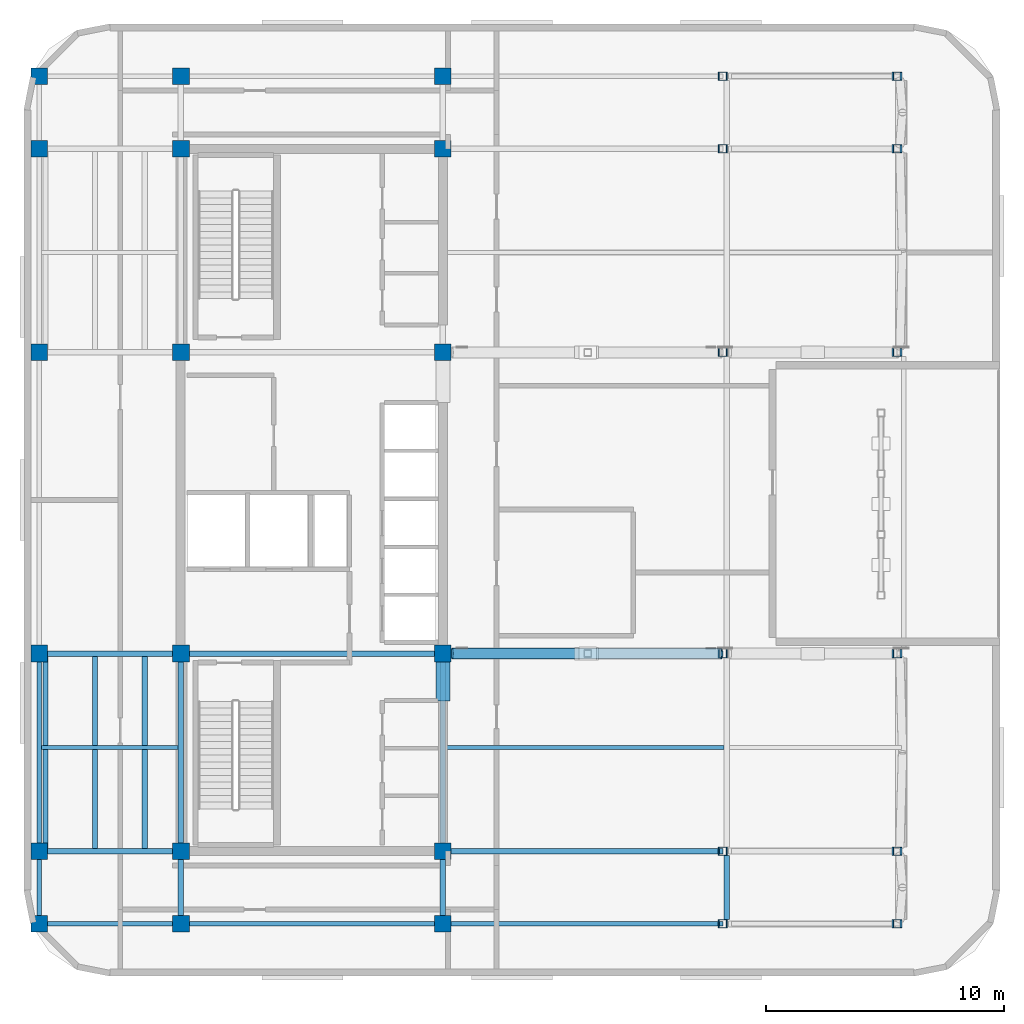
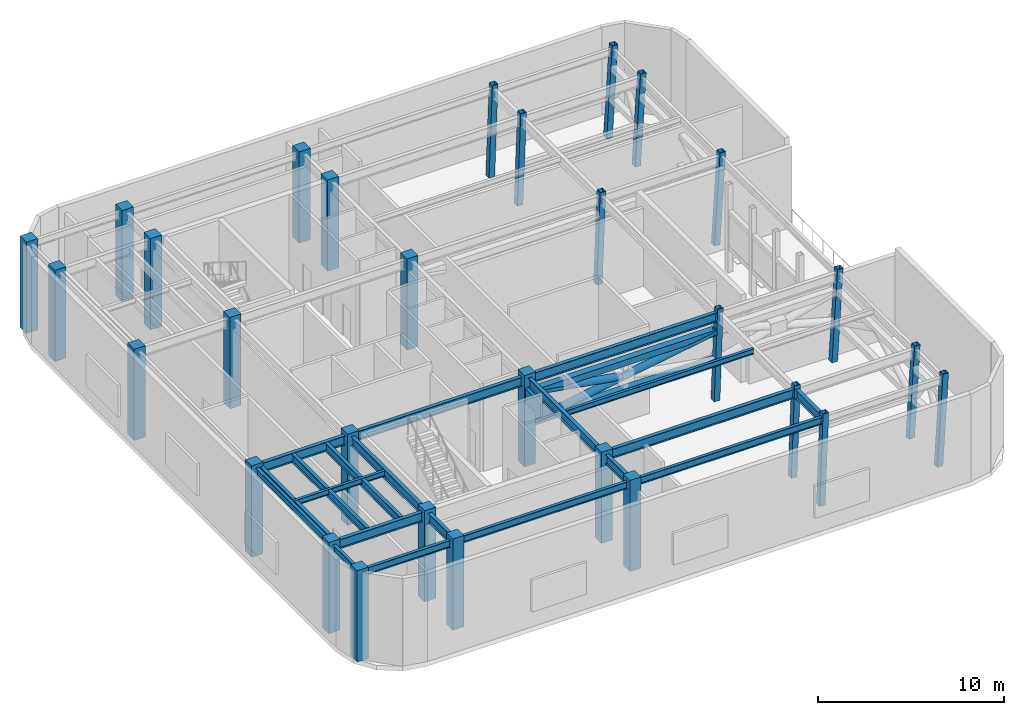
# One storey, part 1 of 12: 30 columns, 21 beams, 4 members.
"""IFC4 building model written with IfcOpenShell, lengths in metres."""

from ifc_helpers import new_model, si_unit, direction, frame, origin, origin_2d, place, context, subcontext, project, spatial, rectangle, hollow_rectangle, hollow_circle, i_section, extrude, material, material_profile, profile_set, type_object, element, save


model = new_model("IFC4")

# Units and contexts
model_context = context("Model", 3, precision=1e-05, world=origin(), true_north=direction((0.0, 1.0)))
body_context = subcontext(model_context, "Body", "Model", "MODEL_VIEW")
ifc_project = project(units=[si_unit("LENGTHUNIT", "METRE"), si_unit("AREAUNIT", "SQUARE_METRE"), si_unit("VOLUMEUNIT", "CUBIC_METRE"), si_unit("PLANEANGLEUNIT", "RADIAN"), si_unit("MASSUNIT", "GRAM", prefix="KILO")], contexts=[model_context])

# Site, building, storey
site_placement = place(None, origin())
site = spatial("IfcSite", under=ifc_project, at=site_placement, CompositionType="ELEMENT")
building_placement = place(site_placement, origin())
building = spatial("IfcBuilding", under=site, at=building_placement, Name="Ochreholt Gables", CompositionType="ELEMENT")
storey_placement = place(building_placement, frame((0.0, 0.0, 199.800048828125)))
storey = spatial("IfcBuildingStorey", under=building, at=storey_placement, Name="L52", CompositionType="ELEMENT", Elevation=199.800048828125)

# Columns
ifc_material_1 = material(Name="Steel CSA G40.21 350W", Category="steel")
ifc_material_profile_1 = material_profile(ifc_material_1, hollow_rectangle(XDim=0.35595703125, YDim=0.35595703125, WallThickness=0.01611328125, at=origin_2d()), Name="HSS356X356X16")
ifc_profile_set_1 = profile_set([ifc_material_profile_1], Name="Steel CSA G40.21 350W")
column_type_1 = type_object("IfcColumnType", Name="COL-HSS356-RAK", PredefinedType="COLUMN", material=ifc_profile_set_1)
for number, where, z_axis, x_axis, name in (
    (1, (46.928955078125, 9.25, 0.0), (0.034972083701, 0.0, 0.999388289586), (0.0, 1.0, 0.0), "L52 Column EMY2"),
    (2, (46.928955078125, 17.550048828125, 0.0), (0.034972083701, 0.0, 0.999388289586), (0.0, 1.0, 0.0), "L52 Column EMY3"),
    (3, (46.928955078125, 30.199951171875, 0.0), (0.034972083701, 0.0, 0.999388289586), (0.0, 1.0, 0.0), "L52 Column EMY4"),
    (4, (46.928955078125, 38.75, 0.0), (0.034972083701, 0.0, 0.999388289586), (0.0, 1.0, 0.0), "L52 Column EMY5"),
):
    element("IfcColumn", number, at=place(storey_placement, frame(where, z_axis=z_axis, x_axis=x_axis)), inside=storey, type_object=column_type_1, Name=name, PredefinedType="COLUMN", context=body_context, shape_type="SweptSolid", body=[
        extrude(hollow_rectangle(XDim=0.35595703125, YDim=0.35595703125, WallThickness=0.01611328125, at=origin_2d()), origin(), (0.0, 0.0, 1.0), 6.003662109375),
    ])
ifc_material_profile_2 = material_profile(ifc_material_1, hollow_rectangle(XDim=0.35595703125, YDim=0.35595703125, WallThickness=0.01611328125, at=origin_2d()), Name="HSS356X356X16")
ifc_profile_set_2 = profile_set([ifc_material_profile_2], Name="Steel CSA G40.21 350W")
column_type_2 = type_object("IfcColumnType", Name="COL-HSS356-RAKE", PredefinedType="COLUMN", material=ifc_profile_set_2)
for number, where, z_axis, x_axis, name in (
    (5, (46.928955078125, 6.199951171875, 0.0), (0.034972083701, 0.0, 0.999388289586), (0.0, 1.0, 0.0), "L52 Column EMY1"),
    (6, (46.928955078125, 41.800048828125, 0.0), (0.034972083701, 0.0, 0.999388289586), (0.0, 1.0, 0.0), "L52 Column EMY6"),
):
    element("IfcColumn", number, at=place(storey_placement, frame(where, z_axis=z_axis, x_axis=x_axis)), inside=storey, type_object=column_type_2, Name=name, PredefinedType="COLUMN", context=body_context, shape_type="SweptSolid", body=[
        extrude(hollow_rectangle(XDim=0.35595703125, YDim=0.35595703125, WallThickness=0.01611328125, at=origin_2d()), origin(), (0.0, 0.0, 1.0), 6.003662109375),
    ])
for number, where, z_axis, x_axis, name in (
    (7, (54.2451171875, 6.199951171875, 0.0), (0.057926656896, 0.0, 0.998320841424), (0.0, 1.0, 0.0), "L52 Column EEY1"),
    (8, (54.2451171875, 9.25, 0.0), (0.057926656896, 0.0, 0.998320841424), (0.0, 1.0, 0.0), "L52 Column EEY2"),
    (9, (54.2451171875, 17.550048828125, 0.0), (0.057926656896, 0.0, 0.998320841424), (0.0, 1.0, 0.0), "L52 Column EEY3"),
    (10, (54.2451171875, 30.199951171875, 0.0), (0.057926656896, 0.0, 0.998320841424), (0.0, 1.0, 0.0), "L52 Column EEY4"),
    (11, (54.2451171875, 38.75, 0.0), (0.057926656896, 0.0, 0.998320841424), (0.0, 1.0, 0.0), "L52 Column EEY5"),
    (12, (54.2451171875, 41.800048828125, 0.0), (0.057926656896, 0.0, 0.998320841424), (0.0, 1.0, 0.0), "L52 Column EEY6"),
):
    element("IfcColumn", number, at=place(storey_placement, frame(where, z_axis=z_axis, x_axis=x_axis)), inside=storey, type_object=column_type_2, Name=name, PredefinedType="COLUMN", context=body_context, shape_type="SweptSolid", body=[
        extrude(hollow_rectangle(XDim=0.35595703125, YDim=0.35595703125, WallThickness=0.01611328125, at=origin_2d()), origin(), (0.0, 0.0, 1.0), 6.010009765625),
    ])
ifc_material_2 = material(Name="Concrete 50 MPa", Category="concrete")
ifc_material_profile_3 = material_profile(ifc_material_2, rectangle(XDim=0.699951171875, YDim=0.699951171875, at=origin_2d()), Name="RC700X700")
ifc_profile_set_3 = profile_set([ifc_material_profile_3], Name="Concrete 50 MPa")
column_type_3 = type_object("IfcColumnType", Name="COL-RC700-EXT", PredefinedType="COLUMN", material=ifc_profile_set_3)
for number, where, z_axis, x_axis, name in (
    (13, (18.25, 6.199951171875, 0.0), (0.0, 0.0, 1.0), (1.0, 0.0, 0.0), "L52 Column W3Y1"),
    (14, (18.25, 9.25, 0.0), (0.0, 0.0, 1.0), (1.0, 0.0, 0.0), "L52 Column W3Y2"),
    (15, (18.25, 17.550048828125, 0.0), (0.0, 0.0, 1.0), (1.0, 0.0, 0.0), "L52 Column W3Y3"),
    (16, (18.25, 30.199951171875, 0.0), (0.0, 0.0, 1.0), (1.0, 0.0, 0.0), "L52 Column W3Y4"),
    (17, (18.25, 38.75, 0.0), (0.0, 0.0, 1.0), (1.0, 0.0, 0.0), "L52 Column W3Y5"),
    (18, (18.25, 41.800048828125, 0.0), (0.0, 0.0, 1.0), (1.0, 0.0, 0.0), "L52 Column W3Y6"),
    (19, (24.199951171875, 6.199951171875, 0.0), (0.0, 0.0, 1.0), (1.0, 0.0, 0.0), "L52 Column C1Y1"),
    (20, (24.199951171875, 41.800048828125, 0.0), (0.0, 0.0, 1.0), (1.0, 0.0, 0.0), "L52 Column C1Y6"),
    (21, (35.199951171875, 6.199951171875, 0.0), (0.0, 0.0, 1.0), (1.0, 0.0, 0.0), "L52 Column C2Y1"),
    (22, (35.199951171875, 41.800048828125, 0.0), (0.0, 0.0, 1.0), (1.0, 0.0, 0.0), "L52 Column C2Y6"),
):
    element("IfcColumn", number, at=place(storey_placement, frame(where, z_axis=z_axis, x_axis=x_axis)), inside=storey, type_object=column_type_3, Name=name, PredefinedType="COLUMN", context=body_context, shape_type="SweptSolid", body=[
        extrude(rectangle(XDim=0.699951171875, YDim=0.699951171875, at=origin_2d()), origin(), (0.0, 0.0, 1.0), 6.0),
    ])
ifc_material_profile_4 = material_profile(ifc_material_2, rectangle(XDim=0.699951171875, YDim=0.699951171875, at=origin_2d()), Name="RC700X700")
ifc_profile_set_4 = profile_set([ifc_material_profile_4], Name="Concrete 50 MPa")
column_type_4 = type_object("IfcColumnType", Name="COL-RC700-INT", PredefinedType="COLUMN", material=ifc_profile_set_4)
for number, where, z_axis, x_axis, name in (
    (23, (24.199951171875, 9.25, 0.0), (0.0, 0.0, 1.0), (1.0, 0.0, 0.0), "L52 Column C1Y2"),
    (24, (24.199951171875, 17.550048828125, 0.0), (0.0, 0.0, 1.0), (1.0, 0.0, 0.0), "L52 Column C1Y3"),
    (25, (24.199951171875, 30.199951171875, 0.0), (0.0, 0.0, 1.0), (1.0, 0.0, 0.0), "L52 Column C1Y4"),
    (26, (24.199951171875, 38.75, 0.0), (0.0, 0.0, 1.0), (1.0, 0.0, 0.0), "L52 Column C1Y5"),
    (27, (35.199951171875, 9.25, 0.0), (0.0, 0.0, 1.0), (1.0, 0.0, 0.0), "L52 Column C2Y2"),
    (28, (35.199951171875, 17.550048828125, 0.0), (0.0, 0.0, 1.0), (1.0, 0.0, 0.0), "L52 Column C2Y3"),
    (29, (35.199951171875, 30.199951171875, 0.0), (0.0, 0.0, 1.0), (1.0, 0.0, 0.0), "L52 Column C2Y4"),
    (30, (35.199951171875, 38.75, 0.0), (0.0, 0.0, 1.0), (1.0, 0.0, 0.0), "L52 Column C2Y5"),
):
    element("IfcColumn", number, at=place(storey_placement, frame(where, z_axis=z_axis, x_axis=x_axis)), inside=storey, type_object=column_type_4, Name=name, PredefinedType="COLUMN", context=body_context, shape_type="SweptSolid", body=[
        extrude(rectangle(XDim=0.699951171875, YDim=0.699951171875, at=origin_2d()), origin(), (0.0, 0.0, 1.0), 6.0),
    ])

# Beams
ifc_material_3 = material(Name="Concrete 60 MPa", Category="concrete")
ifc_material_profile_5 = material_profile(ifc_material_3, rectangle(XDim=0.60009765625, YDim=0.949951171875, at=origin_2d()), Name="RCB600X950")
ifc_profile_set_5 = profile_set([ifc_material_profile_5], Name="Concrete 60 MPa")
beam_type_1 = type_object("IfcBeamType", Name="BM-CPL-RC600", PredefinedType="LINTEL", material=ifc_profile_set_5)
beam_1_placement = place(storey_placement, frame((35.2099609375, 15.550048828125, 4.6728515625), z_axis=(0.0, 1.0, 0.0), x_axis=(-1.0, 0.0, 0.0)))
element("IfcBeam", 31, at=beam_1_placement, inside=storey, type_object=beam_type_1, Name="L52 Core Coupling Lintel CPS", PredefinedType="LINTEL", context=body_context, shape_type="SweptSolid", body=[
    extrude(rectangle(XDim=0.60009765625, YDim=0.949951171875, at=origin_2d()), origin(), (0.0, 0.0, 1.0), 1.64990234375),
])
ifc_material_profile_6 = material_profile(ifc_material_1, i_section(OverallWidth=0.2109375, OverallDepth=0.5390625, WebThickness=0.01171875, FlangeThickness=0.018798828125, at=origin_2d()), Name="W530X109")
ifc_profile_set_6 = profile_set([ifc_material_profile_6], Name="Steel CSA G40.21 350W")
beam_type_2 = type_object("IfcBeamType", Name="BM-G-W530A", PredefinedType="BEAM", material=ifc_profile_set_6)
for number, where, z_axis, x_axis, name in (
    (32, (18.52001953125, 9.364013671875, 5.490478515625), (0.0, 1.0, 0.0), (-1.0, 0.0, 0.0), "L52 Beam BTG-L52-53W1W"),
    (33, (20.60009765625, 9.364013671875, 5.490478515625), (0.0, 1.0, 0.0), (-1.0, 0.0, 0.0), "L52 Beam BTG-L52-53W1R"),
    (34, (22.679931640625, 9.364013671875, 5.490478515625), (0.0, 1.0, 0.0), (-1.0, 0.0, 0.0), "L52 Beam BTG-L52-53W1E"),
):
    element("IfcBeam", number, at=place(storey_placement, frame(where, z_axis=z_axis, x_axis=x_axis)), inside=storey, type_object=beam_type_2, Name=name, PredefinedType="BEAM", context=body_context, shape_type="SweptSolid", body=[
        extrude(i_section(OverallWidth=0.2109375, OverallDepth=0.5390625, WebThickness=0.01171875, FlangeThickness=0.018798828125, at=origin_2d()), origin(), (0.0, 0.0, 1.0), 8.07177734375),
    ])
ifc_material_profile_7 = material_profile(ifc_material_1, i_section(OverallWidth=0.22900390625, OverallDepth=0.612060546875, WebThickness=0.011962890625, FlangeThickness=0.01953125, at=origin_2d()), Name="W610X125")
ifc_profile_set_7 = profile_set([ifc_material_profile_7], Name="Steel CSA G40.21 350W")
beam_type_3 = type_object("IfcBeamType", Name="BM-G-W610B", PredefinedType="BEAM", material=ifc_profile_set_7)
beam_2_placement = place(storey_placement, frame((18.599609375, 9.25, 5.453857421875), z_axis=(1.0, 0.0, 0.0), x_axis=(0.0, 1.0, 0.0)))
element("IfcBeam", 35, at=beam_2_placement, inside=storey, type_object=beam_type_3, Name="L52 Beam TBG-L52-W3C1-Y2", PredefinedType="BEAM", context=body_context, shape_type="SweptSolid", body=[
    extrude(i_section(OverallWidth=0.22900390625, OverallDepth=0.612060546875, WebThickness=0.011962890625, FlangeThickness=0.01953125, at=origin_2d()), origin(), (0.0, 0.0, 1.0), 5.250732421875),
])
beam_3_placement = place(storey_placement, frame((35.549560546875, 9.25, 5.453857421875), z_axis=(1.0, 0.0, 0.0), x_axis=(0.0, 1.0, 0.0)))
element("IfcBeam", 36, at=beam_3_placement, inside=storey, type_object=beam_type_3, Name="L52 Beam TBG-L52-C2EM-Y2", PredefinedType="BEAM", context=body_context, shape_type="SweptSolid", body=[
    extrude(i_section(OverallWidth=0.22900390625, OverallDepth=0.612060546875, WebThickness=0.011962890625, FlangeThickness=0.01953125, at=origin_2d()), origin(), (0.0, 0.0, 1.0), 11.411865234375),
])
beam_4_placement = place(storey_placement, frame((18.599609375, 17.550048828125, 5.453857421875), z_axis=(1.0, 0.0, 0.0), x_axis=(0.0, 1.0, 0.0)))
element("IfcBeam", 37, at=beam_4_placement, inside=storey, type_object=beam_type_3, Name="L52 Beam TBG-L52-W3C1-Y3", PredefinedType="BEAM", context=body_context, shape_type="SweptSolid", body=[
    extrude(i_section(OverallWidth=0.22900390625, OverallDepth=0.612060546875, WebThickness=0.011962890625, FlangeThickness=0.01953125, at=origin_2d()), origin(), (0.0, 0.0, 1.0), 5.250732421875),
])
beam_5_placement = place(storey_placement, frame((24.549560546875, 17.550048828125, 5.453857421875), z_axis=(1.0, 0.0, 0.0), x_axis=(0.0, 1.0, 0.0)))
element("IfcBeam", 38, at=beam_5_placement, inside=storey, type_object=beam_type_3, Name="L52 Beam TBG-L52-C1C2-Y3", PredefinedType="BEAM", context=body_context, shape_type="SweptSolid", body=[
    extrude(i_section(OverallWidth=0.22900390625, OverallDepth=0.612060546875, WebThickness=0.011962890625, FlangeThickness=0.01953125, at=origin_2d()), origin(), (0.0, 0.0, 1.0), 10.30078125),
])
beam_6_placement = place(storey_placement, frame((35.549560546875, 17.550048828125, 5.453857421875), z_axis=(1.0, 0.0, 0.0), x_axis=(0.0, 1.0, 0.0)))
element("IfcBeam", 39, at=beam_6_placement, inside=storey, type_object=beam_type_3, Name="L52 Beam TBG-L52-C2EM-Y3", PredefinedType="BEAM", context=body_context, shape_type="SweptSolid", body=[
    extrude(i_section(OverallWidth=0.22900390625, OverallDepth=0.612060546875, WebThickness=0.011962890625, FlangeThickness=0.01953125, at=origin_2d()), origin(), (0.0, 0.0, 1.0), 11.411865234375),
])
beam_7_placement = place(storey_placement, frame((24.199951171875, 6.549560546875, 5.453857421875), z_axis=(0.0, 1.0, 0.0), x_axis=(-1.0, 0.0, 0.0)))
element("IfcBeam", 40, at=beam_7_placement, inside=storey, type_object=beam_type_3, Name="L52 Beam TBN-L52-C1-Y1Y2", PredefinedType="BEAM", context=body_context, shape_type="SweptSolid", body=[
    extrude(i_section(OverallWidth=0.22900390625, OverallDepth=0.612060546875, WebThickness=0.011962890625, FlangeThickness=0.01953125, at=origin_2d()), origin(), (0.0, 0.0, 1.0), 2.350830078125),
])
beam_8_placement = place(storey_placement, frame((24.199951171875, 9.599609375, 5.453857421875), z_axis=(0.0, 1.0, 0.0), x_axis=(-1.0, 0.0, 0.0)))
element("IfcBeam", 41, at=beam_8_placement, inside=storey, type_object=beam_type_3, Name="L52 Beam TBN-L52-C1-Y2Y3", PredefinedType="BEAM", context=body_context, shape_type="SweptSolid", body=[
    extrude(i_section(OverallWidth=0.22900390625, OverallDepth=0.612060546875, WebThickness=0.011962890625, FlangeThickness=0.01953125, at=origin_2d()), origin(), (0.0, 0.0, 1.0), 7.600830078125),
])
beam_9_placement = place(storey_placement, frame((35.199951171875, 6.549560546875, 5.453857421875), z_axis=(0.0, 1.0, 0.0), x_axis=(-1.0, 0.0, 0.0)))
element("IfcBeam", 42, at=beam_9_placement, inside=storey, type_object=beam_type_3, Name="L52 Beam TBN-L52-C2-Y1Y2", PredefinedType="BEAM", context=body_context, shape_type="SweptSolid", body=[
    extrude(i_section(OverallWidth=0.22900390625, OverallDepth=0.612060546875, WebThickness=0.011962890625, FlangeThickness=0.01953125, at=origin_2d()), origin(), (0.0, 0.0, 1.0), 2.350830078125),
])
beam_10_placement = place(storey_placement, frame((35.199951171875, 9.599609375, 5.453857421875), z_axis=(0.0, 1.0, 0.0), x_axis=(-1.0, 0.0, 0.0)))
element("IfcBeam", 43, at=beam_10_placement, inside=storey, type_object=beam_type_3, Name="L52 Beam TBN-L52-C2-Y2Y3", PredefinedType="BEAM", context=body_context, shape_type="SweptSolid", body=[
    extrude(i_section(OverallWidth=0.22900390625, OverallDepth=0.612060546875, WebThickness=0.011962890625, FlangeThickness=0.01953125, at=origin_2d()), origin(), (0.0, 0.0, 1.0), 7.600830078125),
])
beam_11_placement = place(storey_placement, frame((47.121826171875, 6.377685546875, 5.453857421875), z_axis=(0.0, 1.0, 0.0), x_axis=(-1.0, 0.0, 0.0)))
element("IfcBeam", 44, at=beam_11_placement, inside=storey, type_object=beam_type_3, Name="L52 Beam TBN-L52-EM-Y1Y2", PredefinedType="BEAM", context=body_context, shape_type="SweptSolid", body=[
    extrude(i_section(OverallWidth=0.22900390625, OverallDepth=0.612060546875, WebThickness=0.011962890625, FlangeThickness=0.01953125, at=origin_2d()), origin(), (0.0, 0.0, 1.0), 2.69482421875),
])
ifc_material_profile_8 = material_profile(ifc_material_1, i_section(OverallWidth=0.172119140625, OverallDepth=0.35791015625, WebThickness=0.0078125, FlangeThickness=0.01318359375, at=origin_2d()), Name="W360X57")
ifc_profile_set_8 = profile_set([ifc_material_profile_8], Name="Steel CSA G40.21 350W")
beam_type_4 = type_object("IfcBeamType", Name="BM-J-W360B", PredefinedType="JOIST", material=ifc_profile_set_8)
beam_12_placement = place(storey_placement, frame((18.345703125, 13.60009765625, 5.5810546875), z_axis=(1.0, 0.0, 0.0), x_axis=(0.0, 1.0, 0.0)))
element("IfcBeam", 45, at=beam_12_placement, inside=storey, type_object=beam_type_4, Name="L52 Beam TBJ-L52-J1-W3C1", PredefinedType="JOIST", context=body_context, shape_type="SweptSolid", body=[
    extrude(i_section(OverallWidth=0.172119140625, OverallDepth=0.35791015625, WebThickness=0.0078125, FlangeThickness=0.01318359375, at=origin_2d()), origin(), (0.0, 0.0, 1.0), 5.740234375),
])
beam_13_placement = place(storey_placement, frame((35.314208984375, 13.60009765625, 5.5810546875), z_axis=(1.0, 0.0, 0.0), x_axis=(0.0, 1.0, 0.0)))
element("IfcBeam", 46, at=beam_13_placement, inside=storey, type_object=beam_type_4, Name="L52 Beam TBJ-L52-J1-C2EM", PredefinedType="JOIST", context=body_context, shape_type="SweptSolid", body=[
    extrude(i_section(OverallWidth=0.172119140625, OverallDepth=0.35791015625, WebThickness=0.0078125, FlangeThickness=0.01318359375, at=origin_2d()), origin(), (0.0, 0.0, 1.0), 11.693603515625),
])
ifc_material_profile_9 = material_profile(ifc_material_1, i_section(OverallWidth=0.19189453125, OverallDepth=0.462890625, WebThickness=0.010498046875, FlangeThickness=0.017578125, at=origin_2d()), Name="W460X89")
ifc_profile_set_9 = profile_set([ifc_material_profile_9], Name="Steel CSA G40.21 350W")
beam_type_5 = type_object("IfcBeamType", Name="BM-SP-W460A", PredefinedType="SPANDREL", material=ifc_profile_set_9)
beam_14_placement = place(storey_placement, frame((18.599609375, 6.199951171875, 5.528564453125), z_axis=(1.0, 0.0, 0.0), x_axis=(0.0, 1.0, 0.0)))
element("IfcBeam", 47, at=beam_14_placement, inside=storey, type_object=beam_type_5, Name="L52 Beam TBG-L52-W3C1-Y1", PredefinedType="SPANDREL", context=body_context, shape_type="SweptSolid", body=[
    extrude(i_section(OverallWidth=0.19189453125, OverallDepth=0.462890625, WebThickness=0.010498046875, FlangeThickness=0.017578125, at=origin_2d()), origin(), (0.0, 0.0, 1.0), 5.250732421875),
])
beam_15_placement = place(storey_placement, frame((24.549560546875, 6.199951171875, 5.528564453125), z_axis=(1.0, 0.0, 0.0), x_axis=(0.0, 1.0, 0.0)))
element("IfcBeam", 48, at=beam_15_placement, inside=storey, type_object=beam_type_5, Name="L52 Beam TBG-L52-C1C2-Y1", PredefinedType="SPANDREL", context=body_context, shape_type="SweptSolid", body=[
    extrude(i_section(OverallWidth=0.19189453125, OverallDepth=0.462890625, WebThickness=0.010498046875, FlangeThickness=0.017578125, at=origin_2d()), origin(), (0.0, 0.0, 1.0), 10.30078125),
])
beam_16_placement = place(storey_placement, frame((35.549560546875, 6.199951171875, 5.528564453125), z_axis=(1.0, 0.0, 0.0), x_axis=(0.0, 1.0, 0.0)))
element("IfcBeam", 49, at=beam_16_placement, inside=storey, type_object=beam_type_5, Name="L52 Beam TBG-L52-C2EM-Y1", PredefinedType="SPANDREL", context=body_context, shape_type="SweptSolid", body=[
    extrude(i_section(OverallWidth=0.19189453125, OverallDepth=0.462890625, WebThickness=0.010498046875, FlangeThickness=0.017578125, at=origin_2d()), origin(), (0.0, 0.0, 1.0), 11.411865234375),
])
beam_17_placement = place(storey_placement, frame((18.25, 6.549560546875, 5.528564453125), z_axis=(0.0, 1.0, 0.0), x_axis=(-1.0, 0.0, 0.0)))
element("IfcBeam", 50, at=beam_17_placement, inside=storey, type_object=beam_type_5, Name="L52 Beam TBN-L52-W3-Y1Y2", PredefinedType="SPANDREL", context=body_context, shape_type="SweptSolid", body=[
    extrude(i_section(OverallWidth=0.19189453125, OverallDepth=0.462890625, WebThickness=0.010498046875, FlangeThickness=0.017578125, at=origin_2d()), origin(), (0.0, 0.0, 1.0), 2.350830078125),
])
beam_18_placement = place(storey_placement, frame((18.25, 9.599609375, 5.528564453125), z_axis=(0.0, 1.0, 0.0), x_axis=(-1.0, 0.0, 0.0)))
element("IfcBeam", 51, at=beam_18_placement, inside=storey, type_object=beam_type_5, Name="L52 Beam TBN-L52-W3-Y2Y3", PredefinedType="SPANDREL", context=body_context, shape_type="SweptSolid", body=[
    extrude(i_section(OverallWidth=0.19189453125, OverallDepth=0.462890625, WebThickness=0.010498046875, FlangeThickness=0.017578125, at=origin_2d()), origin(), (0.0, 0.0, 1.0), 7.600830078125),
])

# Members
ifc_material_profile_10 = material_profile(ifc_material_1, hollow_circle(Radius=0.228515625, WallThickness=0.01611328125, at=origin_2d()), Name="CHS457X16")
ifc_profile_set_10 = profile_set([ifc_material_profile_10], Name="Steel CSA G40.21 350W")
member_type_1 = type_object("IfcMemberType", Name="MEM-OU-BR1", PredefinedType="BRACE", material=ifc_profile_set_10)
member_1_placement = place(storey_placement, frame((35.599609375, 17.550048828125, 2.599853515625), z_axis=(0.985892462499, 0.0, 0.167379964114), x_axis=(0.0, 1.0, 0.0)))
element("IfcMember", 52, at=member_1_placement, inside=storey, type_object=member_type_1, Name="L52 Outrigger Truss S Continuous Diagonal 1", PredefinedType="BRACE", context=body_context, shape_type="SweptSolid", body=[
    extrude(hollow_circle(Radius=0.228515625, WallThickness=0.01611328125, at=origin_2d()), origin(), (0.0, 0.0, 1.0), 11.471923828125),
])
member_2_placement = place(storey_placement, frame((41.060302734375, 17.550048828125, 3.58740234375), z_axis=(-0.985727329731, 0.0, 0.168349729493), x_axis=(0.0, -1.0, 0.0)))
element("IfcMember", 53, at=member_2_placement, inside=storey, type_object=member_type_1, Name="L52 Outrigger Truss S Split Diagonal 2B", PredefinedType="BRACE", context=body_context, shape_type="SweptSolid", body=[
    extrude(hollow_circle(Radius=0.228515625, WallThickness=0.01611328125, at=origin_2d()), origin(), (0.0, 0.0, 1.0), 5.539794921875),
])
ifc_material_profile_11 = material_profile(ifc_material_1, hollow_rectangle(XDim=0.406005859375, YDim=0.406005859375, WallThickness=0.01611328125, at=origin_2d()), Name="HSS406X406X16")
ifc_profile_set_11 = profile_set([ifc_material_profile_11], Name="Steel CSA G40.21 350W")
member_type_2 = type_object("IfcMemberType", Name="MEM-OU-CH1", PredefinedType="CHORD", material=ifc_profile_set_11)
member_3_placement = place(storey_placement, frame((35.549560546875, 17.550048828125, 2.599853515625), z_axis=(1.0, 0.0, 0.0), x_axis=(0.0, 1.0, 0.0)))
element("IfcMember", 54, at=member_3_placement, inside=storey, type_object=member_type_2, Name="L52 Outrigger Truss S Bottom Chord 1", PredefinedType="CHORD", context=body_context, shape_type="SweptSolid", body=[
    extrude(hollow_rectangle(XDim=0.406005859375, YDim=0.406005859375, WallThickness=0.01611328125, at=origin_2d()), origin(), (0.0, 0.0, 1.0), 11.292724609375),
])
member_4_placement = place(storey_placement, frame((35.549560546875, 17.550048828125, 4.52001953125), z_axis=(1.0, 0.0, 0.0), x_axis=(0.0, 1.0, 0.0)))
element("IfcMember", 55, at=member_4_placement, inside=storey, type_object=member_type_2, Name="L52 Outrigger Truss S Top Chord 1", PredefinedType="CHORD", context=body_context, shape_type="SweptSolid", body=[
    extrude(hollow_rectangle(XDim=0.406005859375, YDim=0.406005859375, WallThickness=0.01611328125, at=origin_2d()), origin(), (0.0, 0.0, 1.0), 11.360107421875),
])

save(model, "model.ifc")
